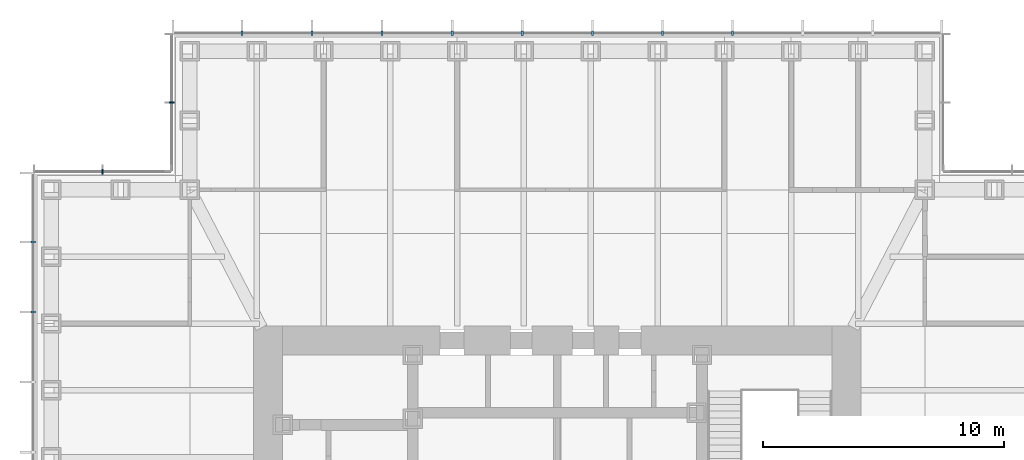
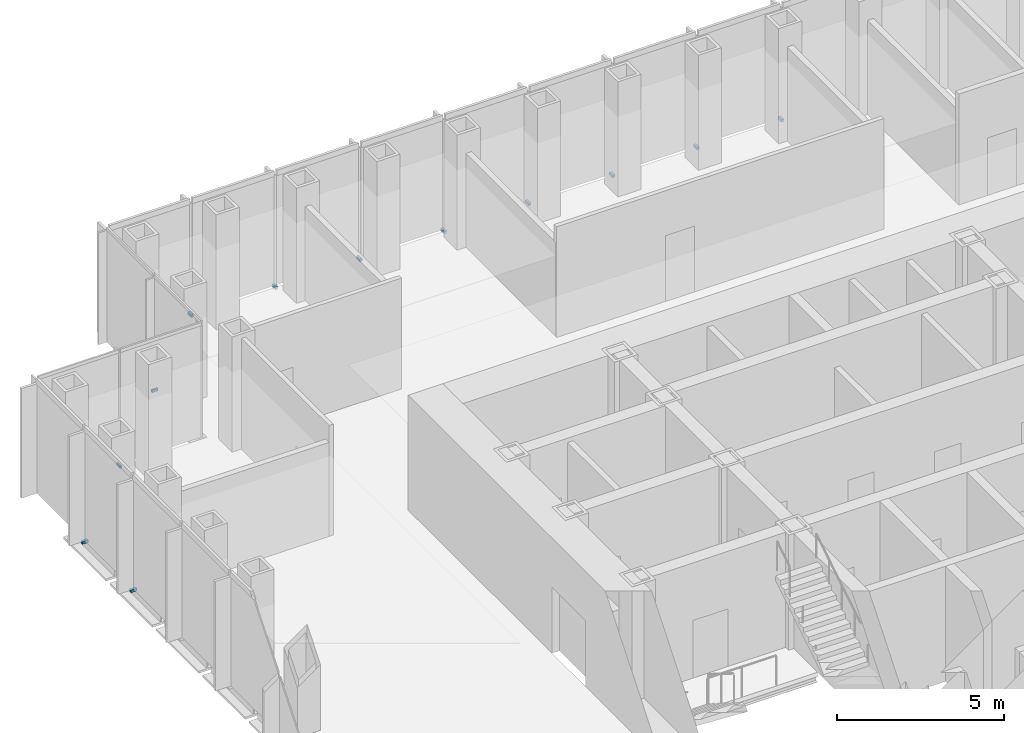
# One storey, part 14 of 16: 12 discrete accessories.
"""IFC4 building model written with IfcOpenShell, lengths in metres."""

import ifcopenshell
import ifcopenshell.guid

model = None  # the IFC model being written
_history = None  # IfcOwnerHistory: only IFC2X3 demands one
_inside = {}  # id of a spatial element -> (the spatial element, [elements in it])
_under = {}  # id of a project, library or spatial element -> (it, [spatial elements below it])
_declared = {}  # id of a project -> (the project, [libraries it declares])
_typed = {}  # id of a type object -> (the type object, [elements of that type])
_made_of = {}  # id of a material, layer set ... -> (it, [elements and type objects made of it])


def new_model(schema):
    """Start an empty IFC model of exactly this schema.

    Asked for "IFC4X3", IfcOpenShell would pick the latest addendum, in which some entities
    have other attributes; the version numbers below select the first issue.
    IFC2X3 requires an IfcOwnerHistory on every rooted entity: one is made here for all.
    """
    global model, _history
    if schema == "IFC4X3":
        model = ifcopenshell.file(schema_version=(4, 3, 0, 0))
    else:
        model = ifcopenshell.file(schema=schema)
    _inside.clear()
    _under.clear()
    _declared.clear()
    _typed.clear()
    _made_of.clear()
    _history = None
    if model.schema == "IFC2X3":
        org = make("IfcOrganization", Name="unknown")
        user = make(
            "IfcPersonAndOrganization",
            ThePerson=make("IfcPerson", FamilyName="unknown"),
            TheOrganization=org,
        )
        app = make(
            "IfcApplication",
            ApplicationDeveloper=org,
            Version="unknown",
            ApplicationFullName="unknown",
            ApplicationIdentifier="unknown",
        )
        _history = make(
            "IfcOwnerHistory",
            OwningUser=user,
            OwningApplication=app,
            ChangeAction="ADDED",
            CreationDate=0,
        )
    return model


def make(cls, **values):
    """One entity of the class cls with the attributes given. An attribute that is None is left unset."""
    return model.create_entity(
        cls, **{name: value for name, value in values.items() if value is not None}
    )


def rooted(cls, **values):
    """An entity with a GlobalId (a new one), such as an element, a storey or a relation."""
    return make(cls, GlobalId=ifcopenshell.guid.new(), OwnerHistory=_history, **values)


def si_unit(unit_type, name, prefix=None):
    """IfcSIUnit, for example si_unit("LENGTHUNIT", "METRE", prefix="MILLI")."""
    return make("IfcSIUnit", UnitType=unit_type, Prefix=prefix, Name=name)


def assignment(units):
    """IfcUnitAssignment: the units of a project."""
    return None if units is None else make("IfcUnitAssignment", Units=units)


def point(xyz):
    """IfcCartesianPoint."""
    return None if xyz is None else make("IfcCartesianPoint", Coordinates=xyz)


def direction(xyz):
    """IfcDirection."""
    return None if xyz is None else make("IfcDirection", DirectionRatios=xyz)


def frame(location, z_axis=None, x_axis=None):
    """IfcAxis2Placement3D, a coordinate frame: its origin and axes. An axis left out is left unset."""
    return make(
        "IfcAxis2Placement3D",
        Location=point(location),
        Axis=direction(z_axis),
        RefDirection=direction(x_axis),
    )


def frame_2d(location, x_axis=None):
    """IfcAxis2Placement2D, a coordinate frame in the plane: its origin and x axis."""
    return make(
        "IfcAxis2Placement2D", Location=point(location), RefDirection=direction(x_axis)
    )


def origin():
    """The frame at (0, 0, 0) with its axes left unset."""
    return frame((0.0, 0.0, 0.0))


def origin_2d():
    """The frame at (0, 0) in the plane with its x axis left unset."""
    return frame_2d((0.0, 0.0))


def place(relative_to, where):
    """IfcLocalPlacement: puts the frame where relative to a parent placement (None: the world)."""
    return make(
        "IfcLocalPlacement", PlacementRelTo=relative_to, RelativePlacement=where
    )


def context(
    kind, dimensions, precision=None, world=None, true_north=None, identifier=None
):
    """IfcGeometricRepresentationContext, for example the 3D "Model" context."""
    return make(
        "IfcGeometricRepresentationContext",
        ContextIdentifier=identifier,
        ContextType=kind,
        CoordinateSpaceDimension=dimensions,
        Precision=precision,
        WorldCoordinateSystem=world,
        TrueNorth=true_north,
    )


def subcontext(parent, identifier, kind, view, scale=None):
    """IfcGeometricRepresentationSubContext, for example "Body" below "Model"."""
    return make(
        "IfcGeometricRepresentationSubContext",
        ContextIdentifier=identifier,
        ContextType=kind,
        ParentContext=parent,
        TargetScale=scale,
        TargetView=view,
    )


def project(units=None, contexts=None):
    """IfcProject with its units and contexts."""
    return rooted(
        "IfcProject",
        Name="project",
        RepresentationContexts=contexts,
        UnitsInContext=assignment(units),
    )


def spatial(cls, under=None, at=None, **own):
    """A site, building, storey or space (cls), placed at a placement, below another one or the project."""
    s = rooted(cls, ObjectPlacement=at, **own)
    if under is not None:
        _under.setdefault(under.id(), (under, []))[1].append(s)
    return s


def profile(cls, at=None, kind="AREA", **sizes):
    """A parametric profile (cls). Its sizes go by their IFC names, for example OverallWidth=200.0."""
    return make(cls, ProfileType=kind, Position=at, **sizes)


def rectangle(**sizes):
    """IfcRectangleProfileDef."""
    return profile("IfcRectangleProfileDef", **sizes)


def extrude(swept, where, along, depth):
    """IfcExtrudedAreaSolid: the profile swept, set in the frame where, extruded along a direction by depth."""
    return make(
        "IfcExtrudedAreaSolid",
        SweptArea=swept,
        Position=where,
        ExtrudedDirection=direction(along),
        Depth=depth,
    )


def shape(context_of_items, identifier, shape_type, items):
    """IfcShapeRepresentation: the items that make up one representation, for example the "Body"."""
    return make(
        "IfcShapeRepresentation",
        ContextOfItems=context_of_items,
        RepresentationIdentifier=identifier,
        RepresentationType=shape_type,
        Items=items,
    )


def made_of(thing, what):
    """Note that an element or type object is made of a material, layer set ...; save() writes the relation."""
    if what is not None:
        _made_of.setdefault(what.id(), (what, []))[1].append(thing)
    return thing


def element(
    cls,
    number,
    at=None,
    inside=None,
    cuts=None,
    type_object=None,
    material=None,
    context=None,
    identifier="Body",
    shape_type=None,
    held_by="IfcProductDefinitionShape",
    body=None,
    shapes=None,
    **own,
):
    """One element of the class cls, such as IfcWall. Its Tag is "e" and its number.

    at: its placement. inside: the storey or other place that contains it. cuts: it is an
    opening in that element (IfcRelVoidsElement). A single representation is given by context,
    identifier, shape_type and body (its items); several are given by shapes. held_by: the class
    of the entity that holds the representations. save() writes the other relations.
    """
    e = rooted(cls, Tag="e%d" % number, ObjectPlacement=at, **own)
    if body is not None:
        shapes = [shape(context, identifier, shape_type, body)]
    if shapes is not None:
        e.Representation = make(held_by, Representations=shapes)
    if inside is not None:
        _inside.setdefault(inside.id(), (inside, []))[1].append(e)
    if cuts is not None:
        rooted(
            "IfcRelVoidsElement", RelatingBuildingElement=cuts, RelatedOpeningElement=e
        )
    if type_object is not None:
        _typed.setdefault(type_object.id(), (type_object, []))[1].append(e)
    return made_of(e, material)


def aggregate(whole, parts):
    """IfcRelAggregates: a whole, such as a stair, and the parts it consists of."""
    return rooted("IfcRelAggregates", RelatingObject=whole, RelatedObjects=parts)


def save(model, path):
    """Write the relations noted so far, then the file.

    IfcRelAggregates (storeys below a building ...), IfcRelContainedInSpatialStructure (elements
    in a storey), IfcRelDefinesByType, IfcRelAssociatesMaterial and IfcRelDeclares: one each for
    every whole, place, type object, material and project.
    """
    for whole, parts in _under.values():
        aggregate(whole, parts)
    for where, things in _inside.values():
        rooted(
            "IfcRelContainedInSpatialStructure",
            RelatedElements=things,
            RelatingStructure=where,
        )
    for kind, things in _typed.values():
        rooted("IfcRelDefinesByType", RelatedObjects=things, RelatingType=kind)
    for what, things in _made_of.values():
        rooted("IfcRelAssociatesMaterial", RelatedObjects=things, RelatingMaterial=what)
    for by, libraries in _declared.values():
        rooted("IfcRelDeclares", RelatingContext=by, RelatedDefinitions=libraries)
    model.write(path)


model = new_model("IFC4")

# Units and contexts
model_context = context("Model", 3, precision=1e-05, world=origin(), true_north=direction((0.0, 1.0)))
body_context = subcontext(model_context, "Body", "Model", "MODEL_VIEW")
ifc_project = project(units=[si_unit("LENGTHUNIT", "METRE"), si_unit("AREAUNIT", "SQUARE_METRE"), si_unit("VOLUMEUNIT", "CUBIC_METRE"), si_unit("PLANEANGLEUNIT", "RADIAN"), si_unit("MASSUNIT", "GRAM", prefix="KILO")], contexts=[model_context])

# Site, building, storey
site_placement = place(None, origin())
site = spatial("IfcSite", under=ifc_project, at=site_placement, CompositionType="ELEMENT")
building_placement = place(site_placement, origin())
building = spatial("IfcBuilding", under=site, at=building_placement, Name="Daluyong Arena Tower", CompositionType="ELEMENT")
storey_placement = place(building_placement, frame((0.0, 0.0, 254.5)))
storey = spatial("IfcBuildingStorey", under=building, at=storey_placement, Name="L57", CompositionType="ELEMENT", Elevation=254.5)

# Discrete accessories
for number, where, z_axis, x_axis, name in (
    (1, (63.272705078125, 101.75, -0.10009765625), (0.0, 0.0, 1.0), (-1.0, 0.0, 0.0), "curtain wall L57 N anchor bracket 4"),
    (2, (60.363525390625, 101.75, -0.10009765625), (0.0, 0.0, 1.0), (-1.0, 0.0, 0.0), "curtain wall L57 N anchor bracket 5"),
    (3, (57.45458984375, 101.75, -0.10009765625), (0.0, 0.0, 1.0), (-1.0, 0.0, 0.0), "curtain wall L57 N anchor bracket 6"),
    (4, (54.54541015625, 101.75, -0.10009765625), (0.0, 0.0, 1.0), (-1.0, 0.0, 0.0), "curtain wall L57 N anchor bracket 7"),
    (5, (51.636474609375, 101.75, -0.10009765625), (0.0, 0.0, 1.0), (-1.0, 0.0, 0.0), "curtain wall L57 N anchor bracket 8"),
    (6, (48.727294921875, 101.75, -0.10009765625), (0.0, 0.0, 1.0), (-1.0, 0.0, 0.0), "curtain wall L57 N anchor bracket 9"),
    (7, (45.818115234375, 101.75, -0.10009765625), (0.0, 0.0, 1.0), (-1.0, 0.0, 0.0), "curtain wall L57 N anchor bracket 10"),
    (8, (42.9091796875, 101.75, -0.10009765625), (0.0, 0.0, 1.0), (-1.0, 0.0, 0.0), "curtain wall L57 N anchor bracket 11"),
):
    element("IfcDiscreteAccessory", number, at=place(storey_placement, frame(where, z_axis=z_axis, x_axis=x_axis)), inside=storey, Name=name, PredefinedType="BRACKET", context=body_context, shape_type="SweptSolid", body=[
        extrude(rectangle(XDim=0.090087890625, YDim=0.199951171875, at=origin_2d()), origin(), (0.0, 0.0, 1.0), 0.10009765625),
    ])
for number, where, z_axis, x_axis, name in (
    (9, (40.0, 98.875, -0.10009765625), (0.0, 0.0, 1.0), (0.0, -1.0, 0.0), "curtain wall L57 NW-W anchor bracket 2"),
    (10, (37.125, 96.0, -0.10009765625), (0.0, 0.0, 1.0), (-1.0, 0.0, 0.0), "curtain wall L57 NW-N anchor bracket 2"),
):
    element("IfcDiscreteAccessory", number, at=place(storey_placement, frame(where, z_axis=z_axis, x_axis=x_axis)), inside=storey, Name=name, PredefinedType="BRACKET", context=body_context, shape_type="SweptSolid", body=[
        extrude(rectangle(XDim=0.06005859375, YDim=0.199951171875, at=origin_2d()), origin(), (0.0, 0.0, 1.0), 0.10009765625),
    ])
for number, where, z_axis, x_axis, name in (
    (11, (34.25, 93.0908203125, -0.10009765625), (0.0, 0.0, 1.0), (0.0, -1.0, 0.0), "curtain wall L57 W anchor bracket 2"),
    (12, (34.25, 90.181884765625, -0.10009765625), (0.0, 0.0, 1.0), (0.0, -1.0, 0.0), "curtain wall L57 W anchor bracket 3"),
):
    element("IfcDiscreteAccessory", number, at=place(storey_placement, frame(where, z_axis=z_axis, x_axis=x_axis)), inside=storey, Name=name, PredefinedType="BRACKET", context=body_context, shape_type="SweptSolid", body=[
        extrude(rectangle(XDim=0.090087890625, YDim=0.199951171875, at=origin_2d()), origin(), (0.0, 0.0, 1.0), 0.10009765625),
    ])

save(model, "model.ifc")
